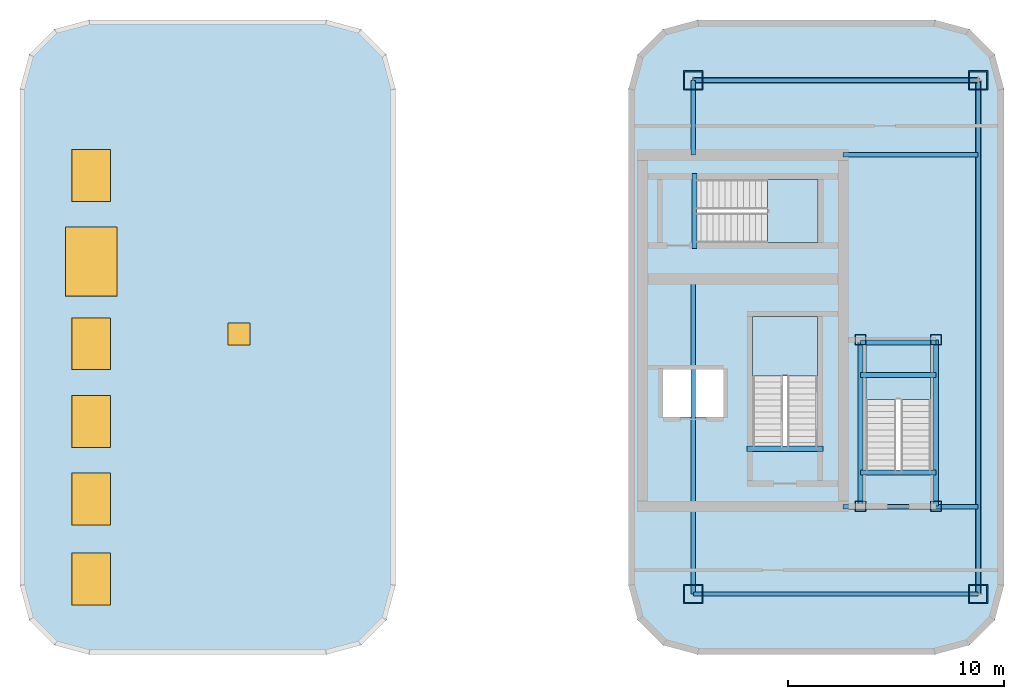
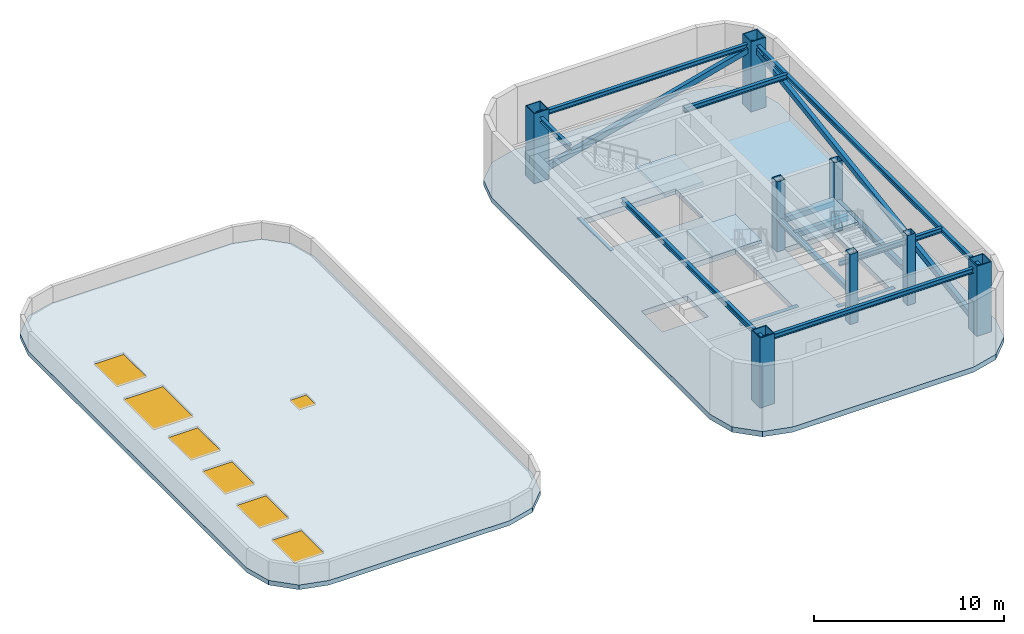
# One storey, part 1 of 6: 14 beams, 8 columns, 6 windows, 5 slabs, 2 members, 1 door, 7 openings, 3 elements without a shape of their own.
"""IFC4 building model written with IfcOpenShell, lengths in metres."""

from ifc_helpers import new_model, si_unit, direction, frame, origin, origin_2d, place, context, subcontext, project, spatial, polyline, rectangle, hollow_rectangle, i_section, outline, extrude, material, layer, layer_set, material_profile, profile_set, type_object, element, fill, aggregate, save


model = new_model("IFC4")

# Units and contexts
model_context = context("Model", 3, precision=1e-05, world=origin(), true_north=direction((0.0, 1.0)))
body_context = subcontext(model_context, "Body", "Model", "MODEL_VIEW")
ifc_project = project(units=[si_unit("LENGTHUNIT", "METRE"), si_unit("AREAUNIT", "SQUARE_METRE"), si_unit("VOLUMEUNIT", "CUBIC_METRE"), si_unit("PLANEANGLEUNIT", "RADIAN"), si_unit("MASSUNIT", "GRAM", prefix="KILO")], contexts=[model_context])

# Site, building, storey
site_placement = place(None, origin())
site = spatial("IfcSite", under=ifc_project, at=site_placement, CompositionType="ELEMENT")
building_placement = place(site_placement, origin())
building = spatial("IfcBuilding", under=site, at=building_placement, Name="Kiyonajd Concourse Tower", CompositionType="ELEMENT")
storey_placement = place(building_placement, frame((0.0, 0.0, 368.39990234375)))
storey = spatial("IfcBuildingStorey", under=building, at=storey_placement, Name="L92", CompositionType="ELEMENT", Elevation=368.39990234375)

# Columns
ifc_material_1 = material(Name="Steel ASTM A572 Grade 50", Category="steel")
ifc_material_profile_1 = material_profile(ifc_material_1, hollow_rectangle(XDim=0.89990234375, YDim=0.89990234375, WallThickness=0.054931640625, at=origin_2d()), Name="BOX-900x900x55")
ifc_profile_set_1 = profile_set([ifc_material_profile_1], Name="Steel ASTM A572 Grade 50")
column_type_1 = type_object("IfcColumnType", Name="CL-CRN-BOX", PredefinedType="COLUMN", material=ifc_profile_set_1)
for number, where, z_axis, x_axis, name in (
    (1, (56.39990234375, 23.800048828125, 0.0), (0.0, 0.0, 1.0), (1.0, 0.0, 0.0), "L92 East Crown Frame Column"),
    (2, (69.60009765625, 23.800048828125, 0.0), (0.0, 0.0, 1.0), (1.0, 0.0, 0.0), "L92 East Crown Frame Column"),
    (3, (69.60009765625, 47.60009765625, 0.0), (0.0, 0.0, 1.0), (1.0, 0.0, 0.0), "L92 East Crown Frame Column"),
    (4, (56.39990234375, 47.60009765625, 0.0), (0.0, 0.0, 1.0), (1.0, 0.0, 0.0), "L92 East Crown Frame Column"),
):
    element("IfcColumn", number, at=place(storey_placement, frame(where, z_axis=z_axis, x_axis=x_axis)), inside=storey, type_object=column_type_1, Name=name, PredefinedType="COLUMN", context=body_context, shape_type="SweptSolid", body=[
        extrude(hollow_rectangle(XDim=0.89990234375, YDim=0.89990234375, WallThickness=0.054931640625, at=origin_2d()), origin(), (0.0, 0.0, 1.0), 4.5),
    ])
ifc_material_profile_2 = material_profile(ifc_material_1, hollow_rectangle(XDim=0.5, YDim=0.5, WallThickness=0.02490234375, at=origin_2d()), Name="HSS-500x500x25")
ifc_profile_set_2 = profile_set([ifc_material_profile_2], Name="Steel ASTM A572 Grade 50")
column_type_2 = type_object("IfcColumnType", Name="CL-PIL-600", PredefinedType="PILASTER", material=ifc_profile_set_2)
for number, where, z_axis, x_axis, name in (
    (5, (64.14990234375, 27.8701171875, 0.0), (0.0, 0.0, 1.0), (1.0, 0.0, 0.0), "L92 Crown Stair Support Column"),
    (6, (67.64990234375, 27.8701171875, 0.0), (0.0, 0.0, 1.0), (1.0, 0.0, 0.0), "L92 Crown Stair Support Column"),
    (7, (64.14990234375, 35.580078125, 0.0), (0.0, 0.0, 1.0), (1.0, 0.0, 0.0), "L92 Crown Stair Support Column"),
    (8, (67.64990234375, 35.580078125, 0.0), (0.0, 0.0, 1.0), (1.0, 0.0, 0.0), "L92 Crown Stair Support Column"),
):
    element("IfcColumn", number, at=place(storey_placement, frame(where, z_axis=z_axis, x_axis=x_axis)), inside=storey, type_object=column_type_2, Name=name, PredefinedType="PILASTER", context=body_context, shape_type="SweptSolid", body=[
        extrude(hollow_rectangle(XDim=0.5, YDim=0.5, WallThickness=0.02490234375, at=origin_2d()), origin(), (0.0, 0.0, 1.0), 4.5),
    ])

# Beams
ifc_material_2 = material(Name="Steel ASTM A992 Grade 50", Category="steel")
ifc_material_profile_3 = material_profile(ifc_material_2, i_section(OverallWidth=0.2041015625, OverallDepth=0.305908203125, WebThickness=0.008544921875, FlangeThickness=0.0146484375, at=origin_2d()), Name="W310X67")
ifc_profile_set_3 = profile_set([ifc_material_profile_3], Name="Steel ASTM A992 Grade 50")
beam_type_1 = type_object("IfcBeamType", Name="BM-CRN-310", PredefinedType="BEAM", material=ifc_profile_set_3)
beam_1_placement = place(storey_placement, frame((56.39990234375, 23.800048828125, 4.007080078125), z_axis=(1.0, 0.0, 0.0), x_axis=(0.0, 1.0, 0.0)))
element("IfcBeam", 9, at=beam_1_placement, inside=storey, type_object=beam_type_1, Name="L92 E Crown Ring Beam 1", PredefinedType="BEAM", context=body_context, shape_type="SweptSolid", body=[
    extrude(i_section(OverallWidth=0.2041015625, OverallDepth=0.305908203125, WebThickness=0.008544921875, FlangeThickness=0.0146484375, at=origin_2d()), origin(), (0.0, 0.0, 1.0), 13.2001953125),
])
beam_2_placement = place(storey_placement, frame((69.60009765625, 23.800048828125, 4.007080078125), z_axis=(0.0, 1.0, 0.0), x_axis=(-1.0, 0.0, 0.0)))
element("IfcBeam", 10, at=beam_2_placement, inside=storey, type_object=beam_type_1, Name="L92 E Crown Ring Beam 2", PredefinedType="BEAM", context=body_context, shape_type="SweptSolid", body=[
    extrude(i_section(OverallWidth=0.2041015625, OverallDepth=0.305908203125, WebThickness=0.008544921875, FlangeThickness=0.0146484375, at=origin_2d()), origin(), (0.0, 0.0, 1.0), 23.800048828125),
])
beam_3_placement = place(storey_placement, frame((69.60009765625, 47.60009765625, 4.007080078125), z_axis=(-1.0, 0.0, 0.0), x_axis=(0.0, -1.0, 0.0)))
element("IfcBeam", 11, at=beam_3_placement, inside=storey, type_object=beam_type_1, Name="L92 E Crown Ring Beam 3", PredefinedType="BEAM", context=body_context, shape_type="SweptSolid", body=[
    extrude(i_section(OverallWidth=0.2041015625, OverallDepth=0.305908203125, WebThickness=0.008544921875, FlangeThickness=0.0146484375, at=origin_2d()), origin(), (0.0, 0.0, 1.0), 13.2001953125),
])
beam_4_placement = place(storey_placement, frame((56.39990234375, 23.800048828125, 4.007080078125), z_axis=(0.0, 1.0, 0.0), x_axis=(-1.0, 0.0, 0.0)))
element("IfcBeam", 12, at=beam_4_placement, inside=storey, type_object=beam_type_1, Name="L92 E Crown Ring Beam 4S", PredefinedType="BEAM", context=body_context, shape_type="SweptSolid", body=[
    extrude(i_section(OverallWidth=0.2041015625, OverallDepth=0.305908203125, WebThickness=0.008544921875, FlangeThickness=0.0146484375, at=origin_2d()), origin(), (0.0, 0.0, 1.0), 14.800048828125),
])
beam_5_placement = place(storey_placement, frame((56.39990234375, 44.14990234375, 4.007080078125), z_axis=(0.0, 1.0, 0.0), x_axis=(-1.0, 0.0, 0.0)))
element("IfcBeam", 13, at=beam_5_placement, inside=storey, type_object=beam_type_1, Name="L92 E Crown Ring Beam 4N", PredefinedType="BEAM", context=body_context, shape_type="SweptSolid", body=[
    extrude(i_section(OverallWidth=0.2041015625, OverallDepth=0.305908203125, WebThickness=0.008544921875, FlangeThickness=0.0146484375, at=origin_2d()), origin(), (0.0, 0.0, 1.0), 3.4501953125),
])
for number, where, z_axis, x_axis, name in (
    (14, (63.35009765625, 27.85009765625, 4.007080078125), (1.0, 0.0, 0.0), (0.0, 1.0, 0.0), "L92 E Crown Core Tie South"),
    (15, (63.35009765625, 44.14990234375, 4.007080078125), (1.0, 0.0, 0.0), (0.0, 1.0, 0.0), "L92 E Crown Core Tie North"),
):
    element("IfcBeam", number, at=place(storey_placement, frame(where, z_axis=z_axis, x_axis=x_axis)), inside=storey, type_object=beam_type_1, Name=name, PredefinedType="BEAM", context=body_context, shape_type="SweptSolid", body=[
        extrude(i_section(OverallWidth=0.2041015625, OverallDepth=0.305908203125, WebThickness=0.008544921875, FlangeThickness=0.0146484375, at=origin_2d()), origin(), (0.0, 0.0, 1.0), 6.25),
    ])
ifc_material_3 = material(Name="Concrete C50/60", Category="concrete")
ifc_material_profile_4 = material_profile(ifc_material_3, rectangle(XDim=0.239990234375, YDim=0.320068359375, at=origin_2d()), Name="RCBM-240x320")
ifc_profile_set_4 = profile_set([ifc_material_profile_4], Name="Concrete C50/60")
beam_type_2 = type_object("IfcBeamType", Name="BM-LNT-250", PredefinedType="LINTEL", material=ifc_profile_set_4)
beam_6_placement = place(storey_placement, frame((58.889892578125, 30.530029296875, -0.159912109375), z_axis=(1.0, 0.0, 0.0), x_axis=(0.0, 1.0, 0.0)))
element("IfcBeam", 16, at=beam_6_placement, inside=storey, type_object=beam_type_2, Name="L92 Stair ST2 Threshold Support Beam", PredefinedType="LINTEL", context=body_context, shape_type="SweptSolid", body=[
    extrude(rectangle(XDim=0.239990234375, YDim=0.320068359375, at=origin_2d()), origin(), (0.0, 0.0, 1.0), 3.52001953125),
])
beam_7_placement = place(storey_placement, frame((56.4599609375, 39.820068359375, -0.159912109375), z_axis=(0.0, 1.0, 0.0), x_axis=(-1.0, 0.0, 0.0)))
element("IfcBeam", 17, at=beam_7_placement, inside=storey, type_object=beam_type_2, Name="L92 Stair ST3 Threshold Support Beam", PredefinedType="LINTEL", context=body_context, shape_type="SweptSolid", body=[
    extrude(rectangle(XDim=0.239990234375, YDim=0.320068359375, at=origin_2d()), origin(), (0.0, 0.0, 1.0), 3.4599609375),
])
for number, where, z_axis, x_axis, name in (
    (18, (64.14990234375, 29.429931640625, -0.159912109375), (1.0, 0.0, 0.0), (0.0, 1.0, 0.0), "L92 Stair ST6 Threshold Support Beam"),
    (19, (64.14990234375, 33.949951171875, 1.89013671875), (1.0, 0.0, 0.0), (0.0, 1.0, 0.0), "L92 Stair ST6 Landing Support Beam"),
    (20, (64.14990234375, 35.449951171875, 1.89013671875), (1.0, 0.0, 0.0), (0.0, 1.0, 0.0), "L92 Stair ST6 Landing Support Beam"),
):
    element("IfcBeam", number, at=place(storey_placement, frame(where, z_axis=z_axis, x_axis=x_axis)), inside=storey, type_object=beam_type_2, Name=name, PredefinedType="LINTEL", context=body_context, shape_type="SweptSolid", body=[
        extrude(rectangle(XDim=0.239990234375, YDim=0.320068359375, at=origin_2d()), origin(), (0.0, 0.0, 1.0), 3.5),
    ])
for number, where, z_axis, x_axis, name in (
    (21, (64.14990234375, 27.8701171875, 1.89013671875), (0.0, 1.0, 0.0), (-1.0, 0.0, 0.0), "L92 Stair ST6 Side Stringer Beam"),
    (22, (67.64990234375, 27.8701171875, 1.89013671875), (0.0, 1.0, 0.0), (-1.0, 0.0, 0.0), "L92 Stair ST6 Side Stringer Beam"),
):
    element("IfcBeam", number, at=place(storey_placement, frame(where, z_axis=z_axis, x_axis=x_axis)), inside=storey, type_object=beam_type_2, Name=name, PredefinedType="LINTEL", context=body_context, shape_type="SweptSolid", body=[
        extrude(rectangle(XDim=0.239990234375, YDim=0.320068359375, at=origin_2d()), origin(), (0.0, 0.0, 1.0), 7.7099609375),
    ])

# Members
ifc_material_4 = material(Name="Steel ASTM A500 Grade C", Category="steel")
ifc_material_profile_5 = material_profile(ifc_material_4, hollow_rectangle(XDim=0.25, YDim=0.35009765625, WallThickness=0.01611328125, at=origin_2d()), Name="HSS-350x250x16")
ifc_profile_set_5 = profile_set([ifc_material_profile_5], Name="Steel ASTM A500 Grade C")
member_type = type_object("IfcMemberType", Name="MB-CRN-BRC", PredefinedType="BRACE", material=ifc_profile_set_5)
member_1_placement = place(storey_placement, frame((56.39990234375, 47.60009765625, 0.300048828125), z_axis=(0.965686426115, 0.0, 0.25971085156), x_axis=(0.0, 1.0, 0.0)))
element("IfcMember", 23, at=member_1_placement, inside=storey, type_object=member_type, Name="L92 E Crown Wind Brace 1", PredefinedType="BRACE", context=body_context, shape_type="SweptSolid", body=[
    extrude(hollow_rectangle(XDim=0.25, YDim=0.35009765625, WallThickness=0.01611328125, at=origin_2d()), origin(), (0.0, 0.0, 1.0), 13.669189453125),
])
member_2_placement = place(storey_placement, frame((69.60009765625, 23.800048828125, 0.300048828125), z_axis=(0.0, 0.989057694684, 0.147529239764), x_axis=(-1.0, 0.0, 0.0)))
element("IfcMember", 24, at=member_2_placement, inside=storey, type_object=member_type, Name="L92 E Crown Wind Brace 2", PredefinedType="BRACE", context=body_context, shape_type="SweptSolid", body=[
    extrude(hollow_rectangle(XDim=0.25, YDim=0.35009765625, WallThickness=0.01611328125, at=origin_2d()), origin(), (0.0, 0.0, 1.0), 24.0634765625),
])

# Stair, slab
ifc_material_5 = material(Name="Concrete C40/50", Category="concrete")
stair_type = type_object("IfcStairType", Name="ST-DLG-26R", PredefinedType="HALF_TURN_STAIR", material=ifc_material_5)
stair_1_placement = place(storey_placement, origin())
stair_1 = element("IfcStair", 25, at=stair_1_placement, inside=storey, type_object=stair_type, Name="L92 Protected Exit Stair ST2", PredefinedType="HALF_TURN_STAIR")
ifc_layer_1 = layer(ifc_material_5, 0.199951171875)
ifc_layer_set_1 = layer_set([ifc_layer_1], Name="Concrete C40/50")
slab_type_1 = type_object("IfcSlabType", Name="SL-LND-200", PredefinedType="LANDING", material=ifc_layer_set_1)
slab_1_placement = place(storey_placement, frame((0.0, 0.0, 2.050048828125)))
slab_1 = element("IfcSlab", 26, at=slab_1_placement, type_object=slab_type_1, Name="ST2 landing 1", PredefinedType="LANDING", context=body_context, shape_type="SweptSolid", body=[
    extrude(outline(polyline([(62.14990234375, 33.909912109375), (62.14990234375, 36.64990234375), (59.14990234375, 36.64990234375), (59.14990234375, 33.909912109375), (62.14990234375, 33.909912109375)])), origin(), (0.0, 0.0, 1.0), 0.199951171875),
])
aggregate(stair_1, [slab_1])

stair_2_placement = place(storey_placement, origin())
stair_2 = element("IfcStair", 27, at=stair_2_placement, inside=storey, type_object=stair_type, Name="L92 Protected Exit Stair ST3", PredefinedType="HALF_TURN_STAIR")
slab_2_placement = place(storey_placement, frame((0.0, 0.0, 2.050048828125)))
slab_2 = element("IfcSlab", 28, at=slab_2_placement, type_object=slab_type_1, Name="ST3 landing 1", PredefinedType="LANDING", context=body_context, shape_type="SweptSolid", body=[
    extrude(outline(polyline([(59.840087890625, 40.080078125), (62.179931640625, 40.080078125), (62.179931640625, 43.02001953125), (59.840087890625, 43.02001953125), (59.840087890625, 40.080078125)])), origin(), (0.0, 0.0, 1.0), 0.199951171875),
])
aggregate(stair_2, [slab_2])

stair_3_placement = place(storey_placement, origin())
stair_3 = element("IfcStair", 29, at=stair_3_placement, inside=storey, type_object=stair_type, Name="L92 East Crown Maintenance Stair ST6", PredefinedType="HALF_TURN_STAIR")
slab_3_placement = place(storey_placement, frame((0.0, 0.0, 2.050048828125)))
slab_3 = element("IfcSlab", 30, at=slab_3_placement, type_object=slab_type_1, Name="ST6 landing 1", PredefinedType="LANDING", context=body_context, shape_type="SweptSolid", body=[
    extrude(outline(polyline([(67.39990234375, 32.81005859375), (67.39990234375, 35.449951171875), (64.39990234375, 35.449951171875), (64.39990234375, 32.81005859375), (67.39990234375, 32.81005859375)])), origin(), (0.0, 0.0, 1.0), 0.199951171875),
])
aggregate(stair_3, [slab_3])

# Slab
ifc_layer_2 = layer(ifc_material_3, 0.300048828125)
ifc_layer_set_2 = layer_set([ifc_layer_2], Name="Concrete C50/60")
slab_type_2 = type_object("IfcSlabType", Name="SL-MEP-300", PredefinedType="FLOOR", material=ifc_layer_set_2)
slab_4_placement = place(storey_placement, frame((0.0, 0.0, -0.33984375)))
element("IfcSlab", 31, at=slab_4_placement, inside=storey, type_object=slab_type_2, Name="L92 East Crown TMD Catwalk Floor Slab", PredefinedType="FLOOR", context=body_context, shape_type="SweptSolid", body=[
    extrude(outline(polyline([(53.39990234375, 24.199951171875), (53.8291015625, 22.60009765625), (55.0, 21.428955078125), (56.60009765625, 21.0), (67.60009765625, 21.0), (69.199951171875, 21.428955078125), (70.37109375, 22.60009765625), (70.800048828125, 24.199951171875), (70.800048828125, 47.199951171875), (70.37109375, 48.800048828125), (69.199951171875, 49.970947265625), (67.60009765625, 50.39990234375), (56.60009765625, 50.39990234375), (55.0, 49.970947265625), (53.8291015625, 48.800048828125), (53.39990234375, 47.199951171875), (53.39990234375, 24.199951171875)]), holes=[polyline([(59.14990234375, 30.550048828125), (59.14990234375, 36.64990234375), (62.14990234375, 36.64990234375), (62.14990234375, 30.550048828125), (59.14990234375, 30.550048828125)]), polyline([(56.47998046875, 43.02001953125), (62.179931640625, 43.02001953125), (62.179931640625, 40.080078125), (56.47998046875, 40.080078125), (56.47998046875, 43.02001953125)]), polyline([(64.39990234375, 29.449951171875), (64.39990234375, 35.449951171875), (67.39990234375, 35.449951171875), (67.39990234375, 29.449951171875), (64.39990234375, 29.449951171875)]), polyline([(55.0, 32.0), (55.0, 34.199951171875), (57.800048828125, 34.199951171875), (57.800048828125, 32.0), (55.0, 32.0)])]), origin(), (0.0, 0.0, 1.0), 0.33984375),
])

# Slab, openings, door, windows
ifc_layer_3 = layer(ifc_material_5, 0.300048828125)
ifc_layer_set_3 = layer_set([ifc_layer_3], Name="Concrete C40/50")
slab_type_3 = type_object("IfcSlabType", Name="SL-ROOF-300", PredefinedType="ROOF", material=ifc_layer_set_3)
slab_5_placement = place(storey_placement, frame((0.0, 0.0, -0.2998046875)))
slab_5 = element("IfcSlab", 32, at=slab_5_placement, inside=storey, type_object=slab_type_3, Name="L92 West Crown Main Roof Slab", PredefinedType="ROOF", context=body_context, shape_type="SweptSolid", body=[
    extrude(outline(polyline([(25.199951171875, 24.199951171875), (25.62890625, 22.60009765625), (26.800048828125, 21.428955078125), (28.39990234375, 21.0), (39.39990234375, 21.0), (41.0, 21.428955078125), (42.1708984375, 22.60009765625), (42.60009765625, 24.199951171875), (42.60009765625, 47.199951171875), (42.1708984375, 48.800048828125), (41.0, 49.970947265625), (39.39990234375, 50.39990234375), (28.39990234375, 50.39990234375), (26.800048828125, 49.970947265625), (25.62890625, 48.800048828125), (25.199951171875, 47.199951171875), (25.199951171875, 24.199951171875)]), holes=[polyline([(34.85009765625, 35.35009765625), (35.85009765625, 35.35009765625), (35.85009765625, 36.35009765625), (34.85009765625, 36.35009765625), (34.85009765625, 35.35009765625)]), polyline([(27.60009765625, 23.300048828125), (29.39990234375, 23.300048828125), (29.39990234375, 25.699951171875), (27.60009765625, 25.699951171875), (27.60009765625, 23.300048828125)]), polyline([(27.60009765625, 27.0), (29.39990234375, 27.0), (29.39990234375, 29.39990234375), (27.60009765625, 29.39990234375), (27.60009765625, 27.0)]), polyline([(27.60009765625, 30.60009765625), (29.39990234375, 30.60009765625), (29.39990234375, 33.0), (27.60009765625, 33.0), (27.60009765625, 30.60009765625)]), polyline([(27.60009765625, 34.199951171875), (29.39990234375, 34.199951171875), (29.39990234375, 36.60009765625), (27.60009765625, 36.60009765625), (27.60009765625, 34.199951171875)]), polyline([(27.300048828125, 37.60009765625), (29.699951171875, 37.60009765625), (29.699951171875, 40.800048828125), (27.300048828125, 40.800048828125), (27.300048828125, 37.60009765625)]), polyline([(27.60009765625, 42.0), (29.39990234375, 42.0), (29.39990234375, 44.39990234375), (27.60009765625, 44.39990234375), (27.60009765625, 42.0)])]), origin(), (0.0, 0.0, 1.0), 0.2998046875),
])
opening_1_placement = place(slab_5_placement, frame((35.35009765625, 35.85009765625, 0.0)))
opening_1 = element("IfcOpeningElement", 33, at=opening_1_placement, cuts=slab_5, Name="Opening RHT1", PredefinedType="OPENING", context=body_context, shape_type="SweptSolid", body=[
    extrude(rectangle(XDim=1.00390625, YDim=1.00390625, at=origin_2d()), frame((0.0, 0.0, -0.010009765625)), (0.0, 0.0, 1.0), 0.31982421875),
])
opening_2_placement = place(slab_5_placement, frame((28.5, 24.5, 0.0)))
opening_2 = element("IfcOpeningElement", 34, at=opening_2_placement, cuts=slab_5, Name="Opening SKL2", PredefinedType="OPENING", context=body_context, shape_type="SweptSolid", body=[
    extrude(rectangle(XDim=1.803955078125, YDim=2.40380859375, at=origin_2d()), frame((0.0, 0.0, -0.010009765625)), (0.0, 0.0, 1.0), 0.31982421875),
])
opening_3_placement = place(slab_5_placement, frame((28.5, 28.199951171875, 0.0)))
opening_3 = element("IfcOpeningElement", 35, at=opening_3_placement, cuts=slab_5, Name="Opening SKL2", PredefinedType="OPENING", context=body_context, shape_type="SweptSolid", body=[
    extrude(rectangle(XDim=1.803955078125, YDim=2.40380859375, at=origin_2d()), frame((0.0, 0.0, -0.010009765625)), (0.0, 0.0, 1.0), 0.31982421875),
])
opening_4_placement = place(slab_5_placement, frame((28.5, 31.800048828125, 0.0)))
opening_4 = element("IfcOpeningElement", 36, at=opening_4_placement, cuts=slab_5, Name="Opening SKL2", PredefinedType="OPENING", context=body_context, shape_type="SweptSolid", body=[
    extrude(rectangle(XDim=1.803955078125, YDim=2.40380859375, at=origin_2d()), frame((0.0, 0.0, -0.010009765625)), (0.0, 0.0, 1.0), 0.31982421875),
])
opening_5_placement = place(slab_5_placement, frame((28.5, 35.39990234375, 0.0)))
opening_5 = element("IfcOpeningElement", 37, at=opening_5_placement, cuts=slab_5, Name="Opening SKL2", PredefinedType="OPENING", context=body_context, shape_type="SweptSolid", body=[
    extrude(rectangle(XDim=1.803955078125, YDim=2.40380859375, at=origin_2d()), frame((0.0, 0.0, -0.010009765625)), (0.0, 0.0, 1.0), 0.31982421875),
])
opening_6_placement = place(slab_5_placement, frame((28.5, 39.199951171875, 0.0)))
opening_6 = element("IfcOpeningElement", 38, at=opening_6_placement, cuts=slab_5, Name="Opening SKL1", PredefinedType="OPENING", context=body_context, shape_type="SweptSolid", body=[
    extrude(rectangle(XDim=2.40380859375, YDim=3.203857421875, at=origin_2d()), frame((0.0, 0.0, -0.010009765625)), (0.0, 0.0, 1.0), 0.31982421875),
])
opening_7_placement = place(slab_5_placement, frame((28.5, 43.199951171875, 0.0)))
opening_7 = element("IfcOpeningElement", 39, at=opening_7_placement, cuts=slab_5, Name="Opening SKL2", PredefinedType="OPENING", context=body_context, shape_type="SweptSolid", body=[
    extrude(rectangle(XDim=1.803955078125, YDim=2.40380859375, at=origin_2d()), frame((0.0, 0.0, -0.010009765625)), (0.0, 0.0, 1.0), 0.31982421875),
])
ifc_material_6 = material(Name="Thermally Broken Anodised Aluminium", Category="aluminium")
door_type = type_object("IfcDoorType", Name="DR-HATCH-RHT1", OperationType="NOTDEFINED", PredefinedType="TRAPDOOR", material=ifc_material_6)
door_placement = place(opening_1_placement, frame((0.0, 0.0, 0.249755859375)))
door = element("IfcDoor", 40, at=door_placement, inside=storey, type_object=door_type, Name="L92 West Roof Access Hatch RHT1", OperationType="SINGLE_SWING_LEFT", OverallHeight=1.0, OverallWidth=1.0, PredefinedType="TRAPDOOR", context=body_context, shape_type="SweptSolid", body=[
    extrude(rectangle(XDim=1.0, YDim=1.0, at=origin_2d()), origin(), (0.0, 0.0, 1.0), 0.050048828125),
])
fill(opening_1, door)
ifc_material_7 = material(Name="Double Low-E Insulated Glass", Category="glass")
window_type_1 = type_object("IfcWindowType", Name="WN-SKL-1800x2400", PartitioningType="SINGLE_PANEL", PredefinedType="SKYLIGHT", material=ifc_material_7)
window_1_placement = place(opening_2_placement, frame((0.0, 0.0, 0.249755859375)))
window_1 = element("IfcWindow", 41, at=window_1_placement, inside=storey, type_object=window_type_1, Name="L92 Crown Roof Skylight 1", OverallHeight=2.39990234375, OverallWidth=1.800048828125, PartitioningType="SINGLE_PANEL", PredefinedType="SKYLIGHT", context=body_context, shape_type="SweptSolid", body=[
    extrude(rectangle(XDim=1.800048828125, YDim=2.39990234375, at=origin_2d()), origin(), (0.0, 0.0, 1.0), 0.050048828125),
])
fill(opening_2, window_1)
window_2_placement = place(opening_3_placement, frame((0.0, 0.0, 0.249755859375)))
window_2 = element("IfcWindow", 42, at=window_2_placement, inside=storey, type_object=window_type_1, Name="L92 Crown Roof Skylight 2", OverallHeight=2.39990234375, OverallWidth=1.800048828125, PartitioningType="SINGLE_PANEL", PredefinedType="SKYLIGHT", context=body_context, shape_type="SweptSolid", body=[
    extrude(rectangle(XDim=1.800048828125, YDim=2.39990234375, at=origin_2d()), origin(), (0.0, 0.0, 1.0), 0.050048828125),
])
fill(opening_3, window_2)
window_3_placement = place(opening_4_placement, frame((0.0, 0.0, 0.249755859375)))
window_3 = element("IfcWindow", 43, at=window_3_placement, inside=storey, type_object=window_type_1, Name="L92 Crown Roof Skylight 3", OverallHeight=2.39990234375, OverallWidth=1.800048828125, PartitioningType="SINGLE_PANEL", PredefinedType="SKYLIGHT", context=body_context, shape_type="SweptSolid", body=[
    extrude(rectangle(XDim=1.800048828125, YDim=2.39990234375, at=origin_2d()), origin(), (0.0, 0.0, 1.0), 0.050048828125),
])
fill(opening_4, window_3)
window_4_placement = place(opening_5_placement, frame((0.0, 0.0, 0.249755859375)))
window_4 = element("IfcWindow", 44, at=window_4_placement, inside=storey, type_object=window_type_1, Name="L92 Crown Roof Skylight 4", OverallHeight=2.39990234375, OverallWidth=1.800048828125, PartitioningType="SINGLE_PANEL", PredefinedType="SKYLIGHT", context=body_context, shape_type="SweptSolid", body=[
    extrude(rectangle(XDim=1.800048828125, YDim=2.39990234375, at=origin_2d()), origin(), (0.0, 0.0, 1.0), 0.050048828125),
])
fill(opening_5, window_4)
window_5_placement = place(opening_7_placement, frame((0.0, 0.0, 0.249755859375)))
window_5 = element("IfcWindow", 45, at=window_5_placement, inside=storey, type_object=window_type_1, Name="L92 Crown Roof Skylight 6", OverallHeight=2.39990234375, OverallWidth=1.800048828125, PartitioningType="SINGLE_PANEL", PredefinedType="SKYLIGHT", context=body_context, shape_type="SweptSolid", body=[
    extrude(rectangle(XDim=1.800048828125, YDim=2.39990234375, at=origin_2d()), origin(), (0.0, 0.0, 1.0), 0.050048828125),
])
fill(opening_7, window_5)
window_type_2 = type_object("IfcWindowType", Name="WN-SKL-2400x3200", PartitioningType="SINGLE_PANEL", PredefinedType="SKYLIGHT", material=ifc_material_7)
window_6_placement = place(opening_6_placement, frame((0.0, 0.0, 0.249755859375)))
window_6 = element("IfcWindow", 46, at=window_6_placement, inside=storey, type_object=window_type_2, Name="L92 Crown Roof Skylight 5", OverallHeight=3.199951171875, OverallWidth=2.39990234375, PartitioningType="SINGLE_PANEL", PredefinedType="SKYLIGHT", context=body_context, shape_type="SweptSolid", body=[
    extrude(rectangle(XDim=2.39990234375, YDim=3.199951171875, at=origin_2d()), origin(), (0.0, 0.0, 1.0), 0.050048828125),
])
fill(opening_6, window_6)

save(model, "model.ifc")
